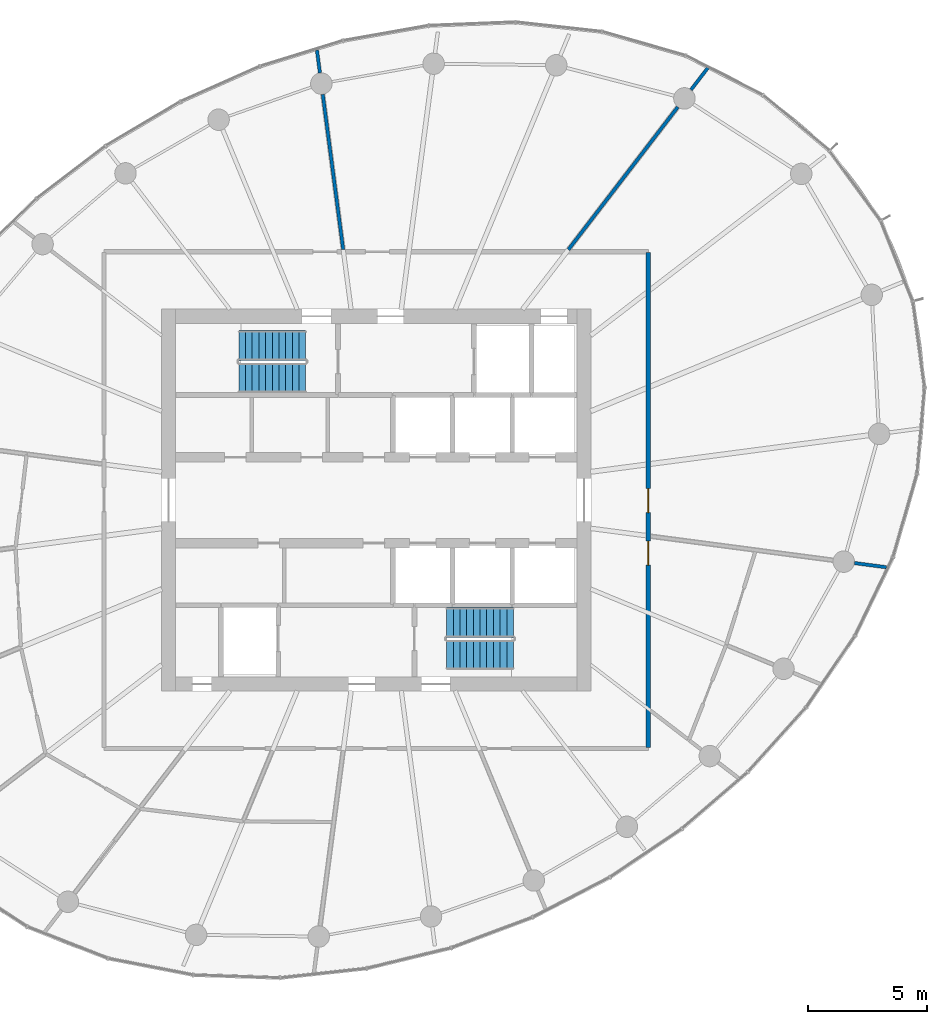
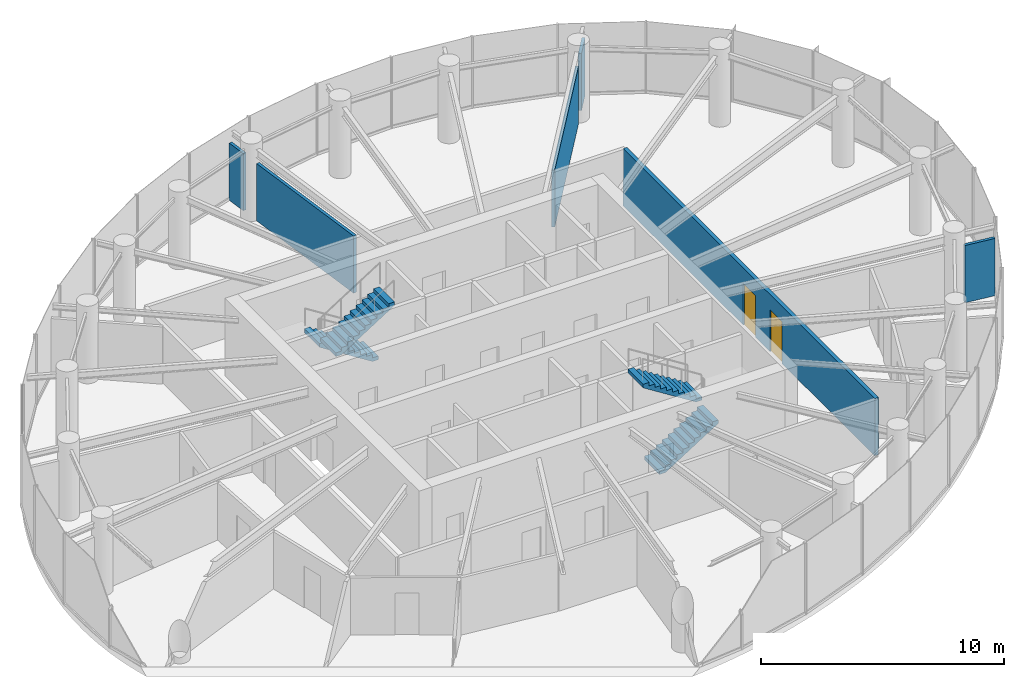
# One storey, part 11 of 13: 6 walls, 4 stair flights, 2 doors, 2 openings, 2 elements without a shape of their own.
"""IFC4 building model written with IfcOpenShell, lengths in metres."""

from ifc_helpers import new_model, si_unit, direction, frame, frame_2d, origin, place, context, subcontext, project, spatial, line, indexed_curve, rectangle, outline, extrude, source, transform, mapped, material, layer, layer_set, type_object, element, fill, aggregate, save


model = new_model("IFC4")

# Units and contexts
model_context = context("Model", 3, precision=1e-05, world=origin(), true_north=direction((0.0, 1.0)))
body_context = subcontext(model_context, "Body", "Model", "MODEL_VIEW")
ifc_project = project(units=[si_unit("LENGTHUNIT", "METRE"), si_unit("AREAUNIT", "SQUARE_METRE"), si_unit("VOLUMEUNIT", "CUBIC_METRE"), si_unit("PLANEANGLEUNIT", "RADIAN"), si_unit("MASSUNIT", "GRAM", prefix="KILO")], contexts=[model_context])

# Site, building, storey
site_placement = place(None, origin())
site = spatial("IfcSite", under=ifc_project, at=site_placement, CompositionType="ELEMENT")
building_placement = place(site_placement, origin())
building = spatial("IfcBuilding", under=site, at=building_placement, Name="Spindrift Exchange Tower", CompositionType="ELEMENT")
storey_placement = place(building_placement, frame((0.0, 0.0, 218.89990234375)))
storey = spatial("IfcBuildingStorey", under=building, at=storey_placement, Name="L53", CompositionType="ELEMENT", Elevation=218.89990234375)

# Wall, openings, doors
ifc_material_1 = material(Name="Fire-rated plasterboard partition", Category="gypsum")
ifc_layer_1 = layer(ifc_material_1, 0.179931640625)
ifc_layer_set_1 = layer_set([ifc_layer_1], Name="W-CORR-180")
wall_type_1 = type_object("IfcWallType", Name="W-CORR-180", PredefinedType="PARTITIONING", material=ifc_layer_set_1)
wall_1_placement = place(storey_placement, frame((63.39990234375, 58.3701171875, 0.0), z_axis=(0.0, 0.0, 1.0), x_axis=(0.0, -1.0, 0.0)))
wall_1 = element("IfcWall", 1, at=wall_1_placement, inside=storey, type_object=wall_type_1, Name="L53 Partition wall 29", PredefinedType="PARTITIONING", context=body_context, shape_type="SweptSolid", body=[
    extrude(rectangle(XDim=20.740234375, YDim=0.179931640625, at=frame_2d((10.3701171875, 0.0))), origin(), (0.0, 0.0, 1.0), 2.880126953125),
])
opening_1_placement = place(wall_1_placement, frame((12.090087890625, 0.0, 0.0)))
opening_1 = element("IfcOpeningElement", 2, at=opening_1_placement, cuts=wall_1, Name="Opening L53-D24", PredefinedType="OPENING", context=body_context, shape_type="SweptSolid", body=[
    extrude(rectangle(XDim=1.0, YDim=2.10009765625, at=frame_2d((0.5, 1.050048828125))), frame((0.0, 0.099853515625, 0.0), z_axis=(0.0, -1.0, 0.0), x_axis=(1.0, 0.0, 0.0)), (0.0, 0.0, 1.0), 0.199951171875),
])
opening_2_placement = place(wall_1_placement, frame((9.889892578125, 0.0, 0.0)))
opening_2 = element("IfcOpeningElement", 3, at=opening_2_placement, cuts=wall_1, Name="Opening L53-D27", PredefinedType="OPENING", context=body_context, shape_type="SweptSolid", body=[
    extrude(rectangle(XDim=1.0, YDim=2.10009765625, at=frame_2d((0.5, 1.050048828125))), frame((0.0, 0.099853515625, 0.0), z_axis=(0.0, -1.0, 0.0), x_axis=(1.0, 0.0, 0.0)), (0.0, 0.0, 1.0), 0.199951171875),
])
ifc_material_2 = material(Name="Timber-core fire door", Category="wood")
door_type = type_object("IfcDoorType", Name="DR-ROOM-1000", OperationType="NOTDEFINED", PredefinedType="DOOR", material=ifc_material_2)
shared_shape = source(origin(), body_context, "Body", "SweptSolid", [
    extrude(rectangle(XDim=1.0, YDim=2.10009765625, at=frame_2d((0.5, 1.050048828125))), frame((0.0, 0.02490234375, 0.0), z_axis=(0.0, -1.0, 0.0), x_axis=(1.0, 0.0, 0.0)), (0.0, 0.0, 1.0), 0.050048828125),
])
door_1_placement = place(opening_1_placement, origin())
door_1 = element("IfcDoor", 4, at=door_1_placement, inside=storey, type_object=door_type, Name="L53 Door 24", OperationType="SINGLE_SWING_LEFT", OverallHeight=2.10009765625, OverallWidth=1.0, PredefinedType="DOOR", context=body_context, shape_type="MappedRepresentation", body=[
    mapped(shared_shape, transform((0.0, 0.0, 0.0), scale=1.0)),
])
fill(opening_1, door_1)
door_2_placement = place(opening_2_placement, origin())
door_2 = element("IfcDoor", 5, at=door_2_placement, inside=storey, type_object=door_type, Name="L53 Door 27", OperationType="SINGLE_SWING_RIGHT", OverallHeight=2.10009765625, OverallWidth=1.0, PredefinedType="DOOR", context=body_context, shape_type="MappedRepresentation", body=[
    mapped(shared_shape, transform((0.0, 0.0, 0.0), scale=1.0)),
])
fill(opening_2, door_2)

# Walls
ifc_layer_2 = layer(ifc_material_1, 0.139892578125)
ifc_layer_set_2 = layer_set([ifc_layer_2], Name="W-PART-140")
wall_type_2 = type_object("IfcWallType", Name="W-PART-140", PredefinedType="PARTITIONING", material=ifc_layer_set_2)
wall_2_placement = place(storey_placement, frame((60.04931640625, 58.489990234375, 0.0), z_axis=(0.0, 0.0, 1.0), x_axis=(0.608758977351, 0.793355221508, 0.0)))
element("IfcWall", 6, at=wall_2_placement, inside=storey, type_object=wall_type_2, Name="L53 Partition wall 32", PredefinedType="PARTITIONING", context=body_context, shape_type="SweptSolid", body=[
    extrude(rectangle(XDim=7.528076171875, YDim=0.139892578125, at=frame_2d((3.76416015625, 0.0))), origin(), (0.0, 0.0, 1.0), 2.880126953125),
])
wall_3_placement = place(storey_placement, frame((50.618896484375, 58.489990234375, 0.0), z_axis=(0.0, 0.0, 1.0), x_axis=(-0.130519996386, 0.991445677051, 0.0)))
element("IfcWall", 7, at=wall_3_placement, inside=storey, type_object=wall_type_2, Name="L53 Partition wall 34", PredefinedType="PARTITIONING", context=body_context, shape_type="SweptSolid", body=[
    extrude(rectangle(XDim=6.55810546875, YDim=0.139892578125, at=frame_2d((3.279052734375, 0.0))), origin(), (0.0, 0.0, 1.0), 2.880126953125),
])
wall_4_placement = place(storey_placement, frame((72.031494140625, 45.36279296875, 0.0), z_axis=(0.0, 0.0, 1.0), x_axis=(0.991446880033, -0.130510858064, 0.0)))
element("IfcWall", 8, at=wall_4_placement, inside=storey, type_object=wall_type_2, Name="L53 Partition wall 59", PredefinedType="PARTITIONING", context=body_context, shape_type="SweptSolid", body=[
    extrude(rectangle(XDim=1.344970703125, YDim=0.139892578125, at=frame_2d((0.67236328125, 0.0))), origin(), (0.0, 0.0, 1.0), 2.880126953125),
])
wall_5_placement = place(storey_placement, frame((65.185546875, 65.18359375, 0.0), z_axis=(0.0, 0.0, 1.0), x_axis=(0.608692390952, 0.793406310283, 0.0)))
element("IfcWall", 9, at=wall_5_placement, inside=storey, type_object=wall_type_2, Name="L53 Partition wall 63", PredefinedType="PARTITIONING", context=body_context, shape_type="SweptSolid", body=[
    extrude(rectangle(XDim=1.1591796875, YDim=0.139892578125, at=frame_2d((0.57958984375, 0.0))), origin(), (0.0, 0.0, 1.0), 2.880126953125),
])
wall_6_placement = place(storey_placement, frame((49.644287109375, 65.89306640625, 0.0), z_axis=(0.0, 0.0, 1.0), x_axis=(-0.130507364932, 0.991447339852, 0.0)))
element("IfcWall", 10, at=wall_6_placement, inside=storey, type_object=wall_type_2, Name="L53 Partition wall 69", PredefinedType="PARTITIONING", context=body_context, shape_type="SweptSolid", body=[
    extrude(rectangle(XDim=0.955810546875, YDim=0.139892578125, at=frame_2d((0.47802734375, 0.0))), origin(), (0.0, 0.0, 1.0), 2.880126953125),
])

# Stair, stair flights
ifc_material_3 = material(Name="Concrete 50 MPa", Category="concrete")
stair_type = type_object("IfcStairType", Name="ST-1250-R177", PredefinedType="HALF_TURN_STAIR", material=ifc_material_3)
stair_1_placement = place(storey_placement, origin())
stair_1 = element("IfcStair", 11, at=stair_1_placement, inside=storey, type_object=stair_type, Name="L53 Exit stair ST1", PredefinedType="HALF_TURN_STAIR")
stair_flight_type = type_object("IfcStairFlightType", Name="STF-1250-R177", PredefinedType="STRAIGHT", material=ifc_material_3)
stair_flight_1_placement = place(storey_placement, frame((49.050048828125, 54.47509765625, 0.0), z_axis=(0.0, 0.0, 1.0), x_axis=(-1.0, 0.0, 0.0)))
stair_flight_1 = element("IfcStairFlight", 12, at=stair_flight_1_placement, type_object=stair_flight_type, Name="ST1 flight 1", NumberOfRisers=11, NumberOfTreads=10, PredefinedType="STRAIGHT", RiserHeight=0.177272727, TreadLength=0.28, context=body_context, shape_type="SweptSolid", body=[
    extrude(outline(indexed_curve([(0.0, 0.0), (0.0, 0.177734375), (0.2802734375, 0.177734375), (0.2802734375, 0.3544921875), (0.5595703125, 0.3544921875), (0.5595703125, 0.5322265625), (0.83984375, 0.5322265625), (0.83984375, 0.708984375), (1.1201171875, 0.708984375), (1.1201171875, 0.88671875), (1.400390625, 0.88671875), (1.400390625, 1.0634765625), (1.6796875, 1.0634765625), (1.6796875, 1.2412109375), (1.9599609375, 1.2412109375), (1.9599609375, 1.41796875), (2.240234375, 1.41796875), (2.240234375, 1.595703125), (2.51953125, 1.595703125), (2.51953125, 1.7724609375), (2.7998046875, 1.7724609375), (2.7998046875, 1.9501953125), (2.7998046875, 1.595703125), (0.2802734375, 0.0)], segments=[line(1, 2, 3, 4, 5, 6, 7, 8, 9, 10, 11, 12, 13, 14, 15, 16, 17, 18, 19, 20, 21, 22, 23, 24, 1)], self_intersect=False)), frame((0.0, 0.625, 0.0), z_axis=(0.0, -1.0, 0.0), x_axis=(1.0, 0.0, 0.0)), (0.0, 0.0, 1.0), 1.25),
])
stair_flight_2_placement = place(storey_placement, frame((46.25, 53.125, 1.9501953125), z_axis=(0.0, 0.0, 1.0), x_axis=(1.0, 0.0, 0.0)))
stair_flight_2 = element("IfcStairFlight", 13, at=stair_flight_2_placement, type_object=stair_flight_type, Name="ST1 flight 2", NumberOfRisers=11, NumberOfTreads=10, PredefinedType="STRAIGHT", RiserHeight=0.177272727, TreadLength=0.28, context=body_context, shape_type="SweptSolid", body=[
    extrude(outline(indexed_curve([(0.0, 0.0), (0.0, 0.177734375), (0.2802734375, 0.177734375), (0.2802734375, 0.3544921875), (0.5595703125, 0.3544921875), (0.5595703125, 0.5322265625), (0.83984375, 0.5322265625), (0.83984375, 0.708984375), (1.1201171875, 0.708984375), (1.1201171875, 0.88671875), (1.400390625, 0.88671875), (1.400390625, 1.0634765625), (1.6796875, 1.0634765625), (1.6796875, 1.2412109375), (1.9599609375, 1.2412109375), (1.9599609375, 1.41796875), (2.240234375, 1.41796875), (2.240234375, 1.595703125), (2.51953125, 1.595703125), (2.51953125, 1.7724609375), (2.7998046875, 1.7724609375), (2.7998046875, 1.9501953125), (2.7998046875, 1.595703125), (0.2802734375, 0.0)], segments=[line(1, 2, 3, 4, 5, 6, 7, 8, 9, 10, 11, 12, 13, 14, 15, 16, 17, 18, 19, 20, 21, 22, 23, 24, 1)], self_intersect=False)), frame((0.0, 0.625, 0.0), z_axis=(0.0, -1.0, 0.0), x_axis=(1.0, 0.0, 0.0)), (0.0, 0.0, 1.0), 1.25),
])
aggregate(stair_1, [stair_flight_1, stair_flight_2])

stair_2_placement = place(storey_placement, origin())
stair_2 = element("IfcStair", 14, at=stair_2_placement, inside=storey, type_object=stair_type, Name="L53 Exit stair ST2", PredefinedType="HALF_TURN_STAIR")
stair_flight_3_placement = place(storey_placement, frame((54.949951171875, 41.52490234375, 0.0), z_axis=(0.0, 0.0, 1.0), x_axis=(1.0, 0.0, 0.0)))
stair_flight_3 = element("IfcStairFlight", 15, at=stair_flight_3_placement, type_object=stair_flight_type, Name="ST2 flight 1", NumberOfRisers=11, NumberOfTreads=10, PredefinedType="STRAIGHT", RiserHeight=0.177272727, TreadLength=0.28, context=body_context, shape_type="SweptSolid", body=[
    extrude(outline(indexed_curve([(0.0, 0.0), (0.0, 0.177734375), (0.2802734375, 0.177734375), (0.2802734375, 0.3544921875), (0.5595703125, 0.3544921875), (0.5595703125, 0.5322265625), (0.83984375, 0.5322265625), (0.83984375, 0.708984375), (1.1201171875, 0.708984375), (1.1201171875, 0.88671875), (1.400390625, 0.88671875), (1.400390625, 1.0634765625), (1.6796875, 1.0634765625), (1.6796875, 1.2412109375), (1.9599609375, 1.2412109375), (1.9599609375, 1.41796875), (2.240234375, 1.41796875), (2.240234375, 1.595703125), (2.51953125, 1.595703125), (2.51953125, 1.7724609375), (2.7998046875, 1.7724609375), (2.7998046875, 1.9501953125), (2.7998046875, 1.595703125), (0.2802734375, 0.0)], segments=[line(1, 2, 3, 4, 5, 6, 7, 8, 9, 10, 11, 12, 13, 14, 15, 16, 17, 18, 19, 20, 21, 22, 23, 24, 1)], self_intersect=False)), frame((0.0, 0.625, 0.0), z_axis=(0.0, -1.0, 0.0), x_axis=(1.0, 0.0, 0.0)), (0.0, 0.0, 1.0), 1.25),
])
stair_flight_4_placement = place(storey_placement, frame((57.75, 42.875, 1.9501953125), z_axis=(0.0, 0.0, 1.0), x_axis=(-1.0, 0.0, 0.0)))
stair_flight_4 = element("IfcStairFlight", 16, at=stair_flight_4_placement, type_object=stair_flight_type, Name="ST2 flight 2", NumberOfRisers=11, NumberOfTreads=10, PredefinedType="STRAIGHT", RiserHeight=0.177272727, TreadLength=0.28, context=body_context, shape_type="SweptSolid", body=[
    extrude(outline(indexed_curve([(0.0, 0.0), (0.0, 0.177734375), (0.2802734375, 0.177734375), (0.2802734375, 0.3544921875), (0.5595703125, 0.3544921875), (0.5595703125, 0.5322265625), (0.83984375, 0.5322265625), (0.83984375, 0.708984375), (1.1201171875, 0.708984375), (1.1201171875, 0.88671875), (1.400390625, 0.88671875), (1.400390625, 1.0634765625), (1.6796875, 1.0634765625), (1.6796875, 1.2412109375), (1.9599609375, 1.2412109375), (1.9599609375, 1.41796875), (2.240234375, 1.41796875), (2.240234375, 1.595703125), (2.51953125, 1.595703125), (2.51953125, 1.7724609375), (2.7998046875, 1.7724609375), (2.7998046875, 1.9501953125), (2.7998046875, 1.595703125), (0.2802734375, 0.0)], segments=[line(1, 2, 3, 4, 5, 6, 7, 8, 9, 10, 11, 12, 13, 14, 15, 16, 17, 18, 19, 20, 21, 22, 23, 24, 1)], self_intersect=False)), frame((0.0, 0.625, 0.0), z_axis=(0.0, -1.0, 0.0), x_axis=(1.0, 0.0, 0.0)), (0.0, 0.0, 1.0), 1.25),
])
aggregate(stair_2, [stair_flight_3, stair_flight_4])

save(model, "model.ifc")
